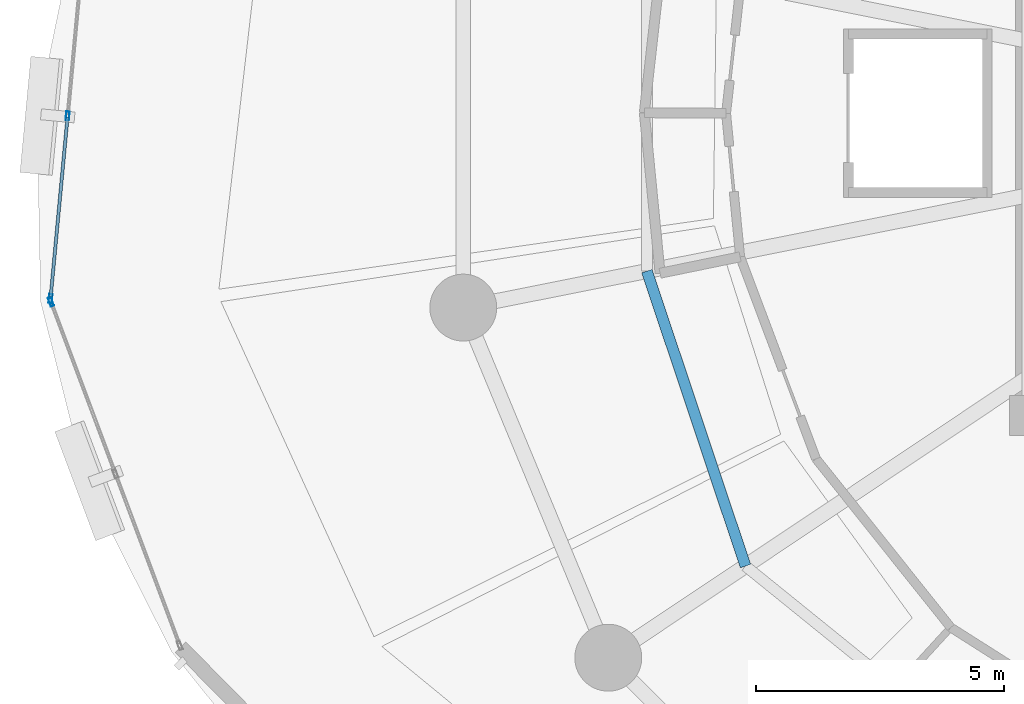
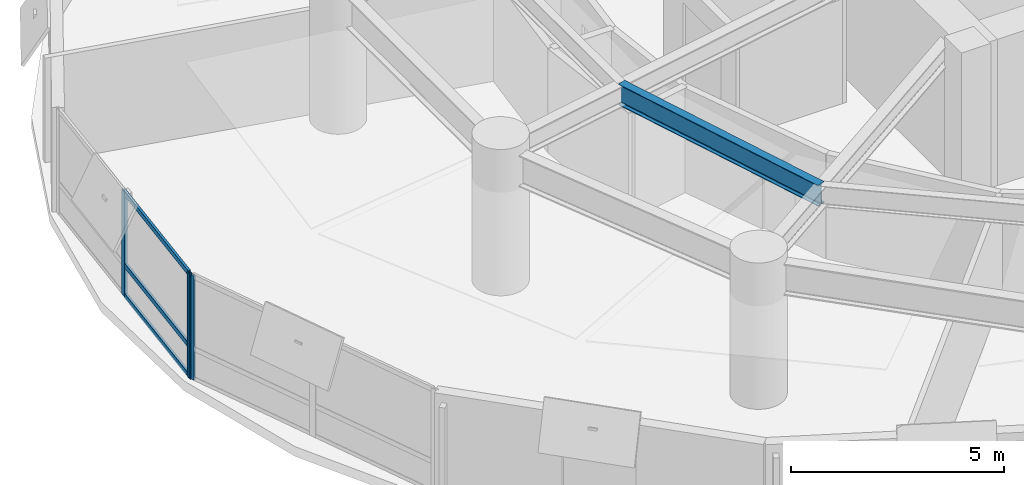
# One storey, part 4 of 17: 6 members, 1 beam, 2 elements without a shape of their own.
"""IFC4 building model written with IfcOpenShell, lengths in metres."""

from ifc_helpers import new_model, si_unit, direction, frame, origin, origin_2d, place, context, subcontext, project, spatial, hollow_rectangle, i_section, extrude, material, layer, layer_set, material_profile, profile_set, type_object, element, aggregate, save


model = new_model("IFC4")

# Units and contexts
model_context = context("Model", 3, precision=1e-05, world=origin(), true_north=direction((0.0, 1.0)))
body_context = subcontext(model_context, "Body", "Model", "MODEL_VIEW")
ifc_project = project(units=[si_unit("LENGTHUNIT", "METRE"), si_unit("AREAUNIT", "SQUARE_METRE"), si_unit("VOLUMEUNIT", "CUBIC_METRE"), si_unit("PLANEANGLEUNIT", "RADIAN"), si_unit("MASSUNIT", "GRAM", prefix="KILO"), si_unit("THERMODYNAMICTEMPERATUREUNIT", "KELVIN"), si_unit("POWERUNIT", "WATT")], contexts=[model_context])

# Site, building, storey
site_placement = place(None, origin())
site = spatial("IfcSite", under=ifc_project, at=site_placement, CompositionType="ELEMENT")
building_placement = place(site_placement, origin())
building = spatial("IfcBuilding", under=site, at=building_placement, Name="Ocrelia Relay Tower", CompositionType="ELEMENT")
storey_placement = place(building_placement, frame((0.0, 0.0, 63.60009765625)))
storey = spatial("IfcBuildingStorey", under=building, at=storey_placement, Name="L14", CompositionType="ELEMENT", Elevation=63.60009765625)

# Beam
ifc_material_1 = material(Name="Steel S355", Category="steel")
ifc_material_profile_1 = material_profile(ifc_material_1, i_section(OverallWidth=0.219970703125, OverallDepth=0.60009765625, WebThickness=0.011962890625, FlangeThickness=0.01904296875, FilletRadius=0.02392578125, at=origin_2d()), Name="IPE 600")
ifc_profile_set_1 = profile_set([ifc_material_profile_1], Name="Steel S355")
beam_type = type_object("IfcBeamType", Name="BM-IPE600", PredefinedType="JOIST", material=ifc_profile_set_1)
beam_placement = place(storey_placement, frame((18.481689453125, 22.9130859375, 3.619873046875), z_axis=(0.317067865999, -0.948402851298, 0.0), x_axis=(0.948402851298, 0.317067865999, 0.0)))
element("IfcBeam", 1, at=beam_placement, inside=storey, type_object=beam_type, Name="L14 Secondary Floor Joist J09", PredefinedType="JOIST", context=body_context, shape_type="SweptSolid", body=[
    extrude(i_section(OverallWidth=0.219970703125, OverallDepth=0.60009765625, WebThickness=0.011962890625, FlangeThickness=0.01904296875, FilletRadius=0.02392578125, at=origin_2d()), origin(), (0.0, 0.0, 1.0), 6.276123046875),
])

# Curtain wall, members
ifc_material_2 = material(Name="Aluminium and solar-control low-E glass", Category="aluminium")
ifc_layer = layer(ifc_material_2, 0.179931640625, Name="Aluminium and solar-control low-E glass")
ifc_layer_set = layer_set([ifc_layer], Name="Aluminium and solar-control low-E glass")
curtain_wall_type = type_object("IfcCurtainWallType", Name="CW-SYS-Z1-DATA", PredefinedType="NOTDEFINED", material=ifc_layer_set)
curtain_wall_1_placement = place(storey_placement, origin())
curtain_wall_1 = element("IfcCurtainWall", 2, at=curtain_wall_1_placement, inside=storey, type_object=curtain_wall_type, Name="L14 Elliptical Tower Curtain Wall Bay 09", PredefinedType="NOTDEFINED")
ifc_material_3 = material(Name="Anodised bronze aluminium", Category="aluminium")
ifc_material_profile_2 = material_profile(ifc_material_3, hollow_rectangle(XDim=0.070068359375, YDim=0.179931640625, WallThickness=0.006103515625, at=origin_2d()), Name="CW-MUL-180x70")
ifc_profile_set_2 = profile_set([ifc_material_profile_2], Name="Anodised bronze aluminium")
member_type_1 = type_object("IfcMemberType", Name="CW-SYS-Z1-DATA-MUL", PredefinedType="MULLION", material=ifc_profile_set_2)
member_1_placement = place(storey_placement, frame((6.79345703125, 26.044677734375, 0.0), z_axis=(0.0, 0.0, 1.0), x_axis=(0.995627424728, -0.093413227811, 0.0)))
member_1 = element("IfcMember", 3, at=member_1_placement, type_object=member_type_1, Name="CW-Z1 mullion 2", PredefinedType="MULLION", context=body_context, shape_type="SweptSolid", body=[
    extrude(hollow_rectangle(XDim=0.070068359375, YDim=0.179931640625, WallThickness=0.006103515625, at=origin_2d()), origin(), (0.0, 0.0, 1.0), 3.0),
])
member_2_placement = place(storey_placement, frame((6.447509765625, 22.358154296875, 0.0), z_axis=(0.0, 0.0, 1.0), x_axis=(0.995627424728, -0.093413227811, 0.0)))
member_2 = element("IfcMember", 4, at=member_2_placement, type_object=member_type_1, Name="CW-Z1 mullion 3", PredefinedType="MULLION", context=body_context, shape_type="SweptSolid", body=[
    extrude(hollow_rectangle(XDim=0.070068359375, YDim=0.179931640625, WallThickness=0.006103515625, at=origin_2d()), origin(), (0.0, 0.0, 1.0), 3.0),
])

# Curtain wall, member
curtain_wall_2_placement = place(storey_placement, origin())
curtain_wall_2 = element("IfcCurtainWall", 5, at=curtain_wall_2_placement, inside=storey, type_object=curtain_wall_type, Name="L14 Elliptical Tower Curtain Wall Bay 10", PredefinedType="NOTDEFINED")
member_3_placement = place(storey_placement, frame((6.45654296875, 22.29052734375, 0.0), z_axis=(0.0, 0.0, 1.0), x_axis=(0.936304436743, 0.351189410055, 0.0)))
member_3 = element("IfcMember", 6, at=member_3_placement, type_object=member_type_1, Name="CW-Z1 mullion 1", PredefinedType="MULLION", context=body_context, shape_type="SweptSolid", body=[
    extrude(hollow_rectangle(XDim=0.070068359375, YDim=0.179931640625, WallThickness=0.006103515625, at=origin_2d()), origin(), (0.0, 0.0, 1.0), 3.0),
])
aggregate(curtain_wall_2, [member_3])

# Member
ifc_material_profile_3 = material_profile(ifc_material_3, hollow_rectangle(XDim=0.06494140625, YDim=0.139892578125, WallThickness=0.0048828125, at=origin_2d()), Name="CW-TRN-140x65")
ifc_profile_set_3 = profile_set([ifc_material_profile_3], Name="Anodised bronze aluminium")
member_type_2 = type_object("IfcMemberType", Name="CW-SYS-Z1-DATA-TRN", PredefinedType="USERDEFINED", material=ifc_profile_set_3)
member_4_placement = place(storey_placement, frame((6.7900390625, 26.009765625, 0.032470703125), z_axis=(-0.093419823155, -0.995626805908, 0.0), x_axis=(0.995626805908, -0.093419823155, 0.0)))
member_4 = element("IfcMember", 7, at=member_4_placement, type_object=member_type_2, Name="CW-Z1 transom 2.1", ObjectType="TRANSOM", PredefinedType="USERDEFINED", context=body_context, shape_type="SweptSolid", body=[
    extrude(hollow_rectangle(XDim=0.06494140625, YDim=0.139892578125, WallThickness=0.0048828125, at=origin_2d()), origin(), (0.0, 0.0, 1.0), 3.632568359375),
])

member_5_placement = place(storey_placement, frame((6.7900390625, 26.009765625, 0.89990234375), z_axis=(-0.093419823155, -0.995626805908, 0.0), x_axis=(0.995626805908, -0.093419823155, 0.0)))
member_5 = element("IfcMember", 8, at=member_5_placement, type_object=member_type_2, Name="CW-Z1 transom 2.2", ObjectType="TRANSOM", PredefinedType="USERDEFINED", context=body_context, shape_type="SweptSolid", body=[
    extrude(hollow_rectangle(XDim=0.06494140625, YDim=0.139892578125, WallThickness=0.0048828125, at=origin_2d()), origin(), (0.0, 0.0, 1.0), 3.632568359375),
])

member_6_placement = place(storey_placement, frame((6.7900390625, 26.009765625, 2.96728515625), z_axis=(-0.093419823155, -0.995626805908, 0.0), x_axis=(0.995626805908, -0.093419823155, 0.0)))
member_6 = element("IfcMember", 9, at=member_6_placement, type_object=member_type_2, Name="CW-Z1 transom 2.3", ObjectType="TRANSOM", PredefinedType="USERDEFINED", context=body_context, shape_type="SweptSolid", body=[
    extrude(hollow_rectangle(XDim=0.06494140625, YDim=0.139892578125, WallThickness=0.0048828125, at=origin_2d()), origin(), (0.0, 0.0, 1.0), 3.632568359375),
])

aggregate(curtain_wall_1, [member_1, member_2, member_4, member_5, member_6])

save(model, "model.ifc")
